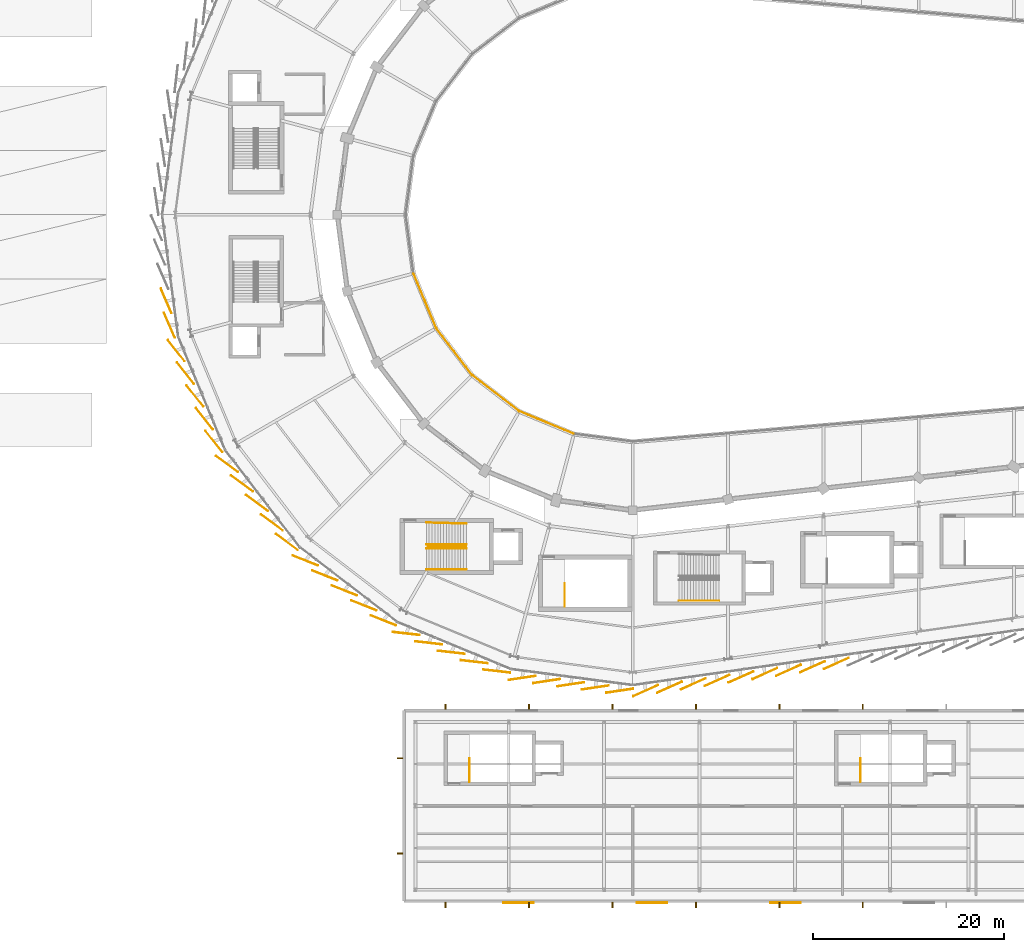
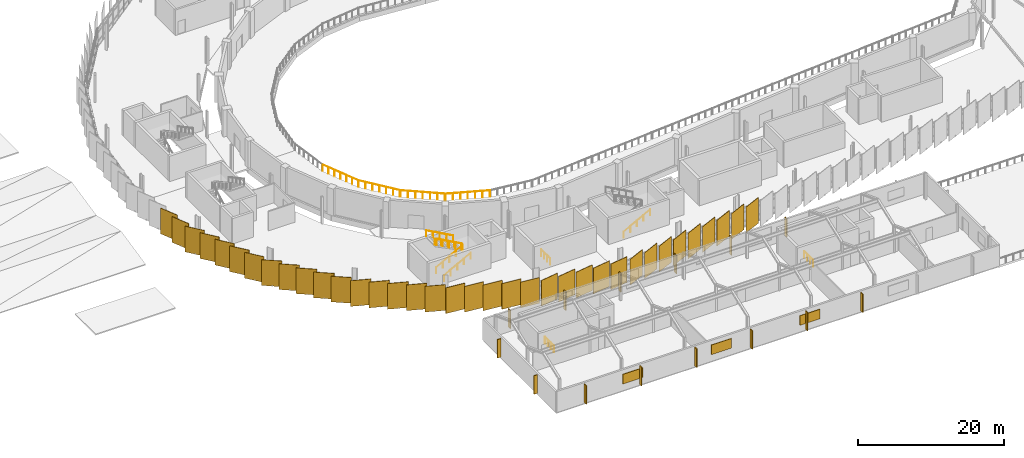
# One storey, part 82 of 87: 36 coverings, 17 shading devices, 13 railings.
"""IFC4 building model written with IfcOpenShell, lengths in metres."""

from ifc_helpers import new_model, si_unit, direction, frame, origin, origin_2d, place, context, subcontext, project, spatial, rectangle, circle, extrude, material, layer, layer_set, type_object, element, save


model = new_model("IFC4")

# Units and contexts
model_context = context("Model", 3, precision=1e-05, world=origin(), true_north=direction((0.0, 1.0)))
body_context = subcontext(model_context, "Body", "Model", "MODEL_VIEW")
ifc_project = project(units=[si_unit("LENGTHUNIT", "METRE"), si_unit("AREAUNIT", "SQUARE_METRE"), si_unit("VOLUMEUNIT", "CUBIC_METRE"), si_unit("PLANEANGLEUNIT", "RADIAN"), si_unit("MASSUNIT", "GRAM", prefix="KILO")], contexts=[model_context])

# Site, building, storey
site_placement = place(None, origin())
site = spatial("IfcSite", under=ifc_project, at=site_placement, CompositionType="ELEMENT")
building_placement = place(site_placement, origin())
building = spatial("IfcBuilding", under=site, at=building_placement, Name="Sohan Crest Arena", CompositionType="ELEMENT")
storey_placement = place(building_placement, frame((0.0, 0.0, 18.0)))
storey = spatial("IfcBuildingStorey", under=building, at=storey_placement, Name="L04", CompositionType="ELEMENT", Elevation=18.0)

# Railings
ifc_material_1 = material(Name="Powder-coated wrought steel balustrade", Category="steel")
railing_type_1 = type_object("IfcRailingType", Name="ARC-GRD-01", PredefinedType="GUARDRAIL", material=ifc_material_1)
railing_1_placement = place(storey_placement, frame((80.530029296875, 43.199951171875, 2.25)))
element("IfcRailing", 1, at=railing_1_placement, inside=storey, type_object=railing_type_1, Name="Stair well slot guard GRD-020", PredefinedType="GUARDRAIL", context=body_context, shape_type="SweptSolid", body=[
    extrude(circle(Radius=0.02392578125, at=origin_2d()), frame((0.0, 0.0, 1.076171875), z_axis=(-0.87313487534, 0.0, 0.487478706678), x_axis=(0.0, -1.0, 0.0)), (0.0, 0.0, 1.0), 4.615478515625),
    extrude(circle(Radius=0.02099609375, at=origin_2d()), origin(), (0.0, 0.0, 1.0), 1.052001953125),
    extrude(circle(Radius=0.02099609375, at=origin_2d()), frame((-1.007568359375, 0.0, 0.5625)), (0.0, 0.0, 1.0), 1.052001953125),
    extrude(circle(Radius=0.02099609375, at=origin_2d()), frame((-2.01513671875, 0.0, 1.125)), (0.0, 0.0, 1.0), 1.052001953125),
    extrude(circle(Radius=0.02099609375, at=origin_2d()), frame((-3.0224609375, 0.0, 1.6875)), (0.0, 0.0, 1.0), 1.052001953125),
    extrude(circle(Radius=0.02099609375, at=origin_2d()), frame((-4.030029296875, 0.0, 2.25)), (0.0, 0.0, 1.0), 1.052001953125),
])
for number, where, name in (
    (2, (80.8701171875, 18.52001953125, 0.0), "Top stair landing well guard GRD-092"),
    (3, (121.8701171875, 18.52001953125, 0.0), "Top stair landing well guard GRD-098"),
):
    element("IfcRailing", number, at=place(storey_placement, frame(where)), inside=storey, type_object=railing_type_1, Name=name, PredefinedType="GUARDRAIL", context=body_context, shape_type="SweptSolid", body=[
        extrude(circle(Radius=0.02392578125, at=origin_2d()), frame((0.0, 0.0, 1.076171875), z_axis=(0.0, 1.0, 0.0), x_axis=(-1.0, 0.0, 0.0)), (0.0, 0.0, 1.0), 2.4599609375),
        extrude(circle(Radius=0.02099609375, at=origin_2d()), origin(), (0.0, 0.0, 1.0), 1.052001953125),
        extrude(circle(Radius=0.02099609375, at=origin_2d()), frame((0.0, 0.820068359375, 0.0)), (0.0, 0.0, 1.0), 1.052001953125),
        extrude(circle(Radius=0.02099609375, at=origin_2d()), frame((0.0, 1.639892578125, 0.0)), (0.0, 0.0, 1.0), 1.052001953125),
        extrude(circle(Radius=0.02099609375, at=origin_2d()), frame((0.0, 2.4599609375, 0.0)), (0.0, 0.0, 1.0), 1.052001953125),
    ])
railing_2_placement = place(storey_placement, frame((90.8701171875, 36.8798828125, 0.0)))
element("IfcRailing", 4, at=railing_2_placement, inside=storey, type_object=railing_type_1, Name="Top stair landing well guard GRD-104", PredefinedType="GUARDRAIL", context=body_context, shape_type="SweptSolid", body=[
    extrude(circle(Radius=0.02392578125, at=origin_2d()), frame((0.0, 0.0, 1.076171875), z_axis=(0.0, 1.0, 0.0), x_axis=(-1.0, 0.0, 0.0)), (0.0, 0.0, 1.0), 2.460205078125),
    extrude(circle(Radius=0.02099609375, at=origin_2d()), origin(), (0.0, 0.0, 1.0), 1.052001953125),
    extrude(circle(Radius=0.02099609375, at=origin_2d()), frame((0.0, 0.820068359375, 0.0)), (0.0, 0.0, 1.0), 1.052001953125),
    extrude(circle(Radius=0.02099609375, at=origin_2d()), frame((0.0, 1.64013671875, 0.0)), (0.0, 0.0, 1.0), 1.052001953125),
    extrude(circle(Radius=0.02099609375, at=origin_2d()), frame((0.0, 2.460205078125, 0.0)), (0.0, 0.0, 1.0), 1.052001953125),
])
ifc_material_2 = material(Name="Laminated glass and steel sightline guard", Category="steel")
railing_type_2 = type_object("IfcRailingType", Name="ARC-GRD-02", PredefinedType="GUARDRAIL", material=ifc_material_2)
railing_3_placement = place(storey_placement, frame((75.02587890625, 71.802978515625, 0.0)))
element("IfcRailing", 5, at=railing_3_placement, inside=storey, type_object=railing_type_2, Name="Bowl gallery edge guard GRD-259", PredefinedType="GUARDRAIL", context=body_context, shape_type="SweptSolid", body=[
    extrude(circle(Radius=0.02392578125, at=origin_2d()), frame((0.0, 0.0, 1.1259765625), z_axis=(0.38285098495, -0.923810112157, 0.0), x_axis=(0.923810112157, 0.38285098495, 0.0)), (0.0, 0.0, 1.0), 6.13330078125),
    extrude(circle(Radius=0.02099609375, at=origin_2d()), origin(), (0.0, 0.0, 1.0), 1.101806640625),
    extrude(circle(Radius=0.02099609375, at=origin_2d()), frame((0.391357421875, -0.9443359375, 0.0)), (0.0, 0.0, 1.0), 1.101806640625),
    extrude(circle(Radius=0.02099609375, at=origin_2d()), frame((0.78271484375, -1.888671875, 0.0)), (0.0, 0.0, 1.0), 1.101806640625),
    extrude(circle(Radius=0.02099609375, at=origin_2d()), frame((1.174072265625, -2.8330078125, 0.0)), (0.0, 0.0, 1.0), 1.101806640625),
    extrude(circle(Radius=0.02099609375, at=origin_2d()), frame((1.5654296875, -3.77734375, 0.0)), (0.0, 0.0, 1.0), 1.101806640625),
    extrude(circle(Radius=0.02099609375, at=origin_2d()), frame((1.956787109375, -4.7216796875, 0.0)), (0.0, 0.0, 1.0), 1.101806640625),
    extrude(circle(Radius=0.02099609375, at=origin_2d()), frame((2.34814453125, -5.666015625, 0.0)), (0.0, 0.0, 1.0), 1.101806640625),
])
railing_4_placement = place(storey_placement, frame((77.4130859375, 66.068115234375, 0.0)))
element("IfcRailing", 6, at=railing_4_placement, inside=storey, type_object=railing_type_2, Name="Bowl gallery edge guard GRD-260", PredefinedType="GUARDRAIL", context=body_context, shape_type="SweptSolid", body=[
    extrude(circle(Radius=0.02392578125, at=origin_2d()), frame((0.0, 0.0, 1.1259765625), z_axis=(0.608829272384, -0.793301277629, 0.0), x_axis=(0.793301277629, 0.608829272384, 0.0)), (0.0, 0.0, 1.0), 6.1328125),
    extrude(circle(Radius=0.02099609375, at=origin_2d()), origin(), (0.0, 0.0, 1.0), 1.101806640625),
    extrude(circle(Radius=0.02099609375, at=origin_2d()), frame((0.622314453125, -0.810791015625, 0.0)), (0.0, 0.0, 1.0), 1.101806640625),
    extrude(circle(Radius=0.02099609375, at=origin_2d()), frame((1.24462890625, -1.621826171875, 0.0)), (0.0, 0.0, 1.0), 1.101806640625),
    extrude(circle(Radius=0.02099609375, at=origin_2d()), frame((1.866943359375, -2.4326171875, 0.0)), (0.0, 0.0, 1.0), 1.101806640625),
    extrude(circle(Radius=0.02099609375, at=origin_2d()), frame((2.4892578125, -3.243408203125, 0.0)), (0.0, 0.0, 1.0), 1.101806640625),
    extrude(circle(Radius=0.02099609375, at=origin_2d()), frame((3.111572265625, -4.054443359375, 0.0)), (0.0, 0.0, 1.0), 1.101806640625),
    extrude(circle(Radius=0.02099609375, at=origin_2d()), frame((3.73388671875, -4.865234375, 0.0)), (0.0, 0.0, 1.0), 1.101806640625),
])
railing_5_placement = place(storey_placement, frame((81.202880859375, 61.14697265625, 0.0)))
element("IfcRailing", 7, at=railing_5_placement, inside=storey, type_object=railing_type_2, Name="Bowl gallery edge guard GRD-261", PredefinedType="GUARDRAIL", context=body_context, shape_type="SweptSolid", body=[
    extrude(circle(Radius=0.02392578125, at=origin_2d()), frame((0.0, 0.0, 1.1259765625), z_axis=(0.793301277629, -0.608829272384, 0.0), x_axis=(0.608829272384, 0.793301277629, 0.0)), (0.0, 0.0, 1.0), 6.1328125),
    extrude(circle(Radius=0.02099609375, at=origin_2d()), origin(), (0.0, 0.0, 1.0), 1.101806640625),
    extrude(circle(Radius=0.02099609375, at=origin_2d()), frame((0.810791015625, -0.622314453125, 0.0)), (0.0, 0.0, 1.0), 1.101806640625),
    extrude(circle(Radius=0.02099609375, at=origin_2d()), frame((1.621826171875, -1.24462890625, 0.0)), (0.0, 0.0, 1.0), 1.101806640625),
    extrude(circle(Radius=0.02099609375, at=origin_2d()), frame((2.4326171875, -1.866943359375, 0.0)), (0.0, 0.0, 1.0), 1.101806640625),
    extrude(circle(Radius=0.02099609375, at=origin_2d()), frame((3.243408203125, -2.4892578125, 0.0)), (0.0, 0.0, 1.0), 1.101806640625),
    extrude(circle(Radius=0.02099609375, at=origin_2d()), frame((4.054443359375, -3.111572265625, 0.0)), (0.0, 0.0, 1.0), 1.101806640625),
    extrude(circle(Radius=0.02099609375, at=origin_2d()), frame((4.865234375, -3.73388671875, 0.0)), (0.0, 0.0, 1.0), 1.101806640625),
])
railing_6_placement = place(storey_placement, frame((86.136962890625, 57.3740234375, 0.0)))
element("IfcRailing", 8, at=railing_6_placement, inside=storey, type_object=railing_type_2, Name="Bowl gallery edge guard GRD-262", PredefinedType="GUARDRAIL", context=body_context, shape_type="SweptSolid", body=[
    extrude(circle(Radius=0.02392578125, at=origin_2d()), frame((0.0, 0.0, 1.1259765625), z_axis=(0.923810112157, -0.38285098495, 0.0), x_axis=(0.38285098495, 0.923810112157, 0.0)), (0.0, 0.0, 1.0), 6.13330078125),
    extrude(circle(Radius=0.02099609375, at=origin_2d()), origin(), (0.0, 0.0, 1.0), 1.101806640625),
    extrude(circle(Radius=0.02099609375, at=origin_2d()), frame((0.9443359375, -0.391357421875, 0.0)), (0.0, 0.0, 1.0), 1.101806640625),
    extrude(circle(Radius=0.02099609375, at=origin_2d()), frame((1.888671875, -0.78271484375, 0.0)), (0.0, 0.0, 1.0), 1.101806640625),
    extrude(circle(Radius=0.02099609375, at=origin_2d()), frame((2.8330078125, -1.174072265625, 0.0)), (0.0, 0.0, 1.0), 1.101806640625),
    extrude(circle(Radius=0.02099609375, at=origin_2d()), frame((3.77734375, -1.5654296875, 0.0)), (0.0, 0.0, 1.0), 1.101806640625),
    extrude(circle(Radius=0.02099609375, at=origin_2d()), frame((4.7216796875, -1.956787109375, 0.0)), (0.0, 0.0, 1.0), 1.101806640625),
    extrude(circle(Radius=0.02099609375, at=origin_2d()), frame((5.666015625, -2.34814453125, 0.0)), (0.0, 0.0, 1.0), 1.101806640625),
])
ifc_material_3 = material(Name="Brushed stainless steel stair handrail", Category="steel")
railing_type_3 = type_object("IfcRailingType", Name="ARC-HR-01", PredefinedType="HANDRAIL", material=ifc_material_3)
for number, where, name in (
    (9, (76.35009765625, 40.81005859375, 0.0), "Stair pitch handrail HR-069"),
    (10, (76.35009765625, 42.989990234375, 0.0), "Stair pitch handrail HR-070"),
):
    element("IfcRailing", number, at=place(storey_placement, frame(where)), inside=storey, type_object=railing_type_3, Name=name, PredefinedType="HANDRAIL", context=body_context, shape_type="SweptSolid", body=[
        extrude(circle(Radius=0.02392578125, at=origin_2d()), frame((0.0, 0.0, 0.97607421875), z_axis=(0.881477684796, 0.0, 0.472225678258), x_axis=(0.0, 1.0, 0.0)), (0.0, 0.0, 1.0), 4.7646484375),
        extrude(circle(Radius=0.02099609375, at=origin_2d()), origin(), (0.0, 0.0, 1.0), 0.951904296875),
        extrude(circle(Radius=0.02099609375, at=origin_2d()), frame((1.050048828125, 0.0, 0.5625)), (0.0, 0.0, 1.0), 0.951904296875),
        extrude(circle(Radius=0.02099609375, at=origin_2d()), frame((2.10009765625, 0.0, 1.125)), (0.0, 0.0, 1.0), 0.951904296875),
        extrude(circle(Radius=0.02099609375, at=origin_2d()), frame((3.14990234375, 0.0, 1.6875)), (0.0, 0.0, 1.0), 0.951904296875),
        extrude(circle(Radius=0.02099609375, at=origin_2d()), frame((4.199951171875, 0.0, 2.25)), (0.0, 0.0, 1.0), 0.951904296875),
    ])
railing_7_placement = place(storey_placement, frame((80.550048828125, 43.409912109375, 2.25)))
element("IfcRailing", 11, at=railing_7_placement, inside=storey, type_object=railing_type_3, Name="Stair pitch handrail HR-071", PredefinedType="HANDRAIL", context=body_context, shape_type="SweptSolid", body=[
    extrude(circle(Radius=0.02392578125, at=origin_2d()), frame((0.0, 0.0, 0.97607421875), z_axis=(-0.881477684796, 0.0, 0.472225678258), x_axis=(0.0, -1.0, 0.0)), (0.0, 0.0, 1.0), 4.7646484375),
    extrude(circle(Radius=0.02099609375, at=origin_2d()), origin(), (0.0, 0.0, 1.0), 0.951904296875),
    extrude(circle(Radius=0.02099609375, at=origin_2d()), frame((-1.050048828125, 0.0, 0.5625)), (0.0, 0.0, 1.0), 0.951904296875),
    extrude(circle(Radius=0.02099609375, at=origin_2d()), frame((-2.10009765625, 0.0, 1.125)), (0.0, 0.0, 1.0), 0.951904296875),
    extrude(circle(Radius=0.02099609375, at=origin_2d()), frame((-3.14990234375, 0.0, 1.6875)), (0.0, 0.0, 1.0), 0.951904296875),
    extrude(circle(Radius=0.02099609375, at=origin_2d()), frame((-4.199951171875, 0.0, 2.25)), (0.0, 0.0, 1.0), 0.951904296875),
])
railing_8_placement = place(storey_placement, frame((80.550048828125, 45.590087890625, 2.25)))
element("IfcRailing", 12, at=railing_8_placement, inside=storey, type_object=railing_type_3, Name="Stair pitch handrail HR-072", PredefinedType="HANDRAIL", context=body_context, shape_type="SweptSolid", body=[
    extrude(circle(Radius=0.02392578125, at=origin_2d()), frame((0.0, 0.0, 0.97607421875), z_axis=(-0.881198846469, 0.025150766356, 0.472076298847), x_axis=(-0.028529915312, -0.999592939117, 0.0)), (0.0, 0.0, 1.0), 4.76611328125),
    extrude(circle(Radius=0.02099609375, at=origin_2d()), origin(), (0.0, 0.0, 1.0), 0.951904296875),
    extrude(circle(Radius=0.02099609375, at=origin_2d()), frame((-1.050048828125, 0.030029296875, 0.5625)), (0.0, 0.0, 1.0), 0.951904296875),
    extrude(circle(Radius=0.02099609375, at=origin_2d()), frame((-2.10009765625, 0.06005859375, 1.125)), (0.0, 0.0, 1.0), 0.951904296875),
    extrude(circle(Radius=0.02099609375, at=origin_2d()), frame((-3.14990234375, 0.08984375, 1.6875)), (0.0, 0.0, 1.0), 0.951904296875),
    extrude(circle(Radius=0.02099609375, at=origin_2d()), frame((-4.199951171875, 0.119873046875, 2.25)), (0.0, 0.0, 1.0), 0.951904296875),
])
railing_9_placement = place(storey_placement, frame((102.85009765625, 37.510009765625, 0.0)))
element("IfcRailing", 13, at=railing_9_placement, inside=storey, type_object=railing_type_3, Name="Stair pitch handrail HR-113", PredefinedType="HANDRAIL", context=body_context, shape_type="SweptSolid", body=[
    extrude(circle(Radius=0.02392578125, at=origin_2d()), frame((0.0, 0.0, 0.97607421875), z_axis=(0.881477684796, 0.0, 0.472225678258), x_axis=(0.0, 1.0, 0.0)), (0.0, 0.0, 1.0), 4.7646484375),
    extrude(circle(Radius=0.02099609375, at=origin_2d()), origin(), (0.0, 0.0, 1.0), 0.951904296875),
    extrude(circle(Radius=0.02099609375, at=origin_2d()), frame((1.050048828125, 0.0, 0.5625)), (0.0, 0.0, 1.0), 0.951904296875),
    extrude(circle(Radius=0.02099609375, at=origin_2d()), frame((2.10009765625, 0.0, 1.125)), (0.0, 0.0, 1.0), 0.951904296875),
    extrude(circle(Radius=0.02099609375, at=origin_2d()), frame((3.14990234375, 0.0, 1.6875)), (0.0, 0.0, 1.0), 0.951904296875),
    extrude(circle(Radius=0.02099609375, at=origin_2d()), frame((4.199951171875, 0.0, 2.25)), (0.0, 0.0, 1.0), 0.951904296875),
])

# Shading devices
ifc_material_4 = material(Name="Glazed terracotta ceramic solar fin", Category="masonry")
ifc_layer_1 = layer(ifc_material_4, 0.070068359375, Name="Glazed terracotta ceramic solar fin")
ifc_layer_set_1 = layer_set([ifc_layer_1], Name="Glazed terracotta ceramic solar fin")
shading_device_type_1 = type_object("IfcShadingDeviceType", Name="ARC-SHD-FIN1", PredefinedType="USERDEFINED", material=ifc_layer_set_1)
for number, where, z_axis, x_axis, name in (
    (14, (78.375, 5.60009765625, 0.199951171875), (0.0, 0.0, 1.0), (1.0, 0.0, 0.0), "Catalan terracotta facade fin FIN-127"),
    (15, (87.125, 5.60009765625, 0.199951171875), (0.0, 0.0, 1.0), (1.0, 0.0, 0.0), "Catalan terracotta facade fin FIN-128"),
    (16, (95.875, 5.60009765625, 0.199951171875), (0.0, 0.0, 1.0), (1.0, 0.0, 0.0), "Catalan terracotta facade fin FIN-129"),
    (17, (104.625, 5.60009765625, 0.199951171875), (0.0, 0.0, 1.0), (1.0, 0.0, 0.0), "Catalan terracotta facade fin FIN-130"),
    (18, (113.375, 5.60009765625, 0.199951171875), (0.0, 0.0, 1.0), (1.0, 0.0, 0.0), "Catalan terracotta facade fin FIN-131"),
    (19, (122.125, 5.60009765625, 0.199951171875), (0.0, 0.0, 1.0), (1.0, 0.0, 0.0), "Catalan terracotta facade fin FIN-132"),
    (20, (122.125, 26.39990234375, 0.199951171875), (0.0, 0.0, 1.0), (-1.0, 0.0, 0.0), "Catalan terracotta facade fin FIN-143"),
    (21, (113.375, 26.39990234375, 0.199951171875), (0.0, 0.0, 1.0), (-1.0, 0.0, 0.0), "Catalan terracotta facade fin FIN-144"),
    (22, (104.625, 26.39990234375, 0.199951171875), (0.0, 0.0, 1.0), (-1.0, 0.0, 0.0), "Catalan terracotta facade fin FIN-145"),
    (23, (95.875, 26.39990234375, 0.199951171875), (0.0, 0.0, 1.0), (-1.0, 0.0, 0.0), "Catalan terracotta facade fin FIN-146"),
    (24, (87.125, 26.39990234375, 0.199951171875), (0.0, 0.0, 1.0), (-1.0, 0.0, 0.0), "Catalan terracotta facade fin FIN-147"),
    (25, (78.375, 26.39990234375, 0.199951171875), (0.0, 0.0, 1.0), (-1.0, 0.0, 0.0), "Catalan terracotta facade fin FIN-148"),
    (26, (73.60009765625, 21.0, 0.199951171875), (0.0, 0.0, 1.0), (0.0, -1.0, 0.0), "Catalan terracotta facade fin FIN-149"),
    (27, (73.60009765625, 11.0, 0.199951171875), (0.0, 0.0, 1.0), (0.0, -1.0, 0.0), "Catalan terracotta facade fin FIN-150"),
):
    element("IfcShadingDevice", number, at=place(storey_placement, frame(where, z_axis=z_axis, x_axis=x_axis)), inside=storey, type_object=shading_device_type_1, Name=name, ObjectType="FIN", PredefinedType="USERDEFINED", context=body_context, shape_type="SweptSolid", body=[
        extrude(rectangle(XDim=0.139892578125, YDim=0.550048828125, at=origin_2d()), origin(), (0.0, 0.0, 1.0), 3.10009765625),
    ])
ifc_material_5 = material(Name="Thermally broken anodised aluminium", Category="aluminium")
ifc_layer_2 = layer(ifc_material_5, 0.10009765625, Name="Thermally broken anodised aluminium")
ifc_layer_set_2 = layer_set([ifc_layer_2], Name="Thermally broken anodised aluminium")
shading_device_type_2 = type_object("IfcShadingDeviceType", Name="ARC-SHD-LV1", PredefinedType="JALOUSIE", material=ifc_layer_set_2)
for number, where, z_axis, x_axis, name in (
    (28, (86.0, 5.81494140625, 1.199951171875), (0.0, 0.0, 1.0), (1.0, 0.0, 0.0), "Acoustic plant weather louvre LV-135"),
    (29, (100.0, 5.81494140625, 1.199951171875), (0.0, 0.0, 1.0), (1.0, 0.0, 0.0), "Acoustic plant weather louvre LV-136"),
    (30, (114.0, 5.81494140625, 1.199951171875), (0.0, 0.0, 1.0), (1.0, 0.0, 0.0), "Acoustic plant weather louvre LV-137"),
):
    element("IfcShadingDevice", number, at=place(storey_placement, frame(where, z_axis=z_axis, x_axis=x_axis)), inside=storey, type_object=shading_device_type_2, Name=name, PredefinedType="JALOUSIE", context=body_context, shape_type="SweptSolid", body=[
        extrude(rectangle(XDim=3.199951171875, YDim=0.10009765625, at=origin_2d()), origin(), (0.0, 0.0, 1.0), 1.60009765625),
    ])

# Coverings
ifc_material_6 = material(Name="Glazed ivory trencadis ceramic cladding", Category="masonry")
ifc_layer_3 = layer(ifc_material_6, 0.06494140625, Name="Glazed ivory trencadis ceramic cladding")
ifc_layer_set_3 = layer_set([ifc_layer_3], Name="Glazed ivory trencadis ceramic cladding")
covering_type_1 = type_object("IfcCoveringType", Name="COV-SC-IV", PredefinedType="CLADDING", material=ifc_layer_set_3)
for number, where, z_axis, x_axis, name in (
    (31, (49.073974609375, 68.9599609375, -0.2001953125), (0.0, 0.0, 1.0), (0.398749068925, -0.917060074385, 0.0), "Rotated trencadis ceramic scale panel SC-0432"),
    (32, (50.123046875, 63.74609375, -0.2001953125), (0.0, 0.0, 1.0), (0.622514636638, -0.782608156852, 0.0), "Rotated trencadis ceramic scale panel SC-0434"),
    (33, (51.10888671875, 61.365966796875, -0.2001953125), (0.0, 0.0, 1.0), (0.622514636638, -0.782608156852, 0.0), "Rotated trencadis ceramic scale panel SC-0435"),
    (34, (52.094970703125, 58.985107421875, -0.2001953125), (0.0, 0.0, 1.0), (0.622514636638, -0.782608156852, 0.0), "Rotated trencadis ceramic scale panel SC-0436"),
    (35, (54.06689453125, 54.22412109375, -0.2001953125), (0.0, 0.0, 1.0), (0.622514636638, -0.782608156852, 0.0), "Rotated trencadis ceramic scale panel SC-0438"),
    (36, (55.443115234375, 51.840087890625, -0.2001953125), (0.0, 0.0, 1.0), (0.803856860617, -0.594822786751, 0.0), "Rotated trencadis ceramic scale panel SC-0439"),
    (37, (57.011962890625, 49.7958984375, -0.2001953125), (0.0, 0.0, 1.0), (0.803856860617, -0.594822786751, 0.0), "Rotated trencadis ceramic scale panel SC-0440"),
    (38, (60.14794921875, 45.7080078125, -0.2001953125), (0.0, 0.0, 1.0), (0.803856860617, -0.594822786751, 0.0), "Rotated trencadis ceramic scale panel SC-0442"),
    (39, (61.717041015625, 43.6630859375, -0.2001953125), (0.0, 0.0, 1.0), (0.803856860617, -0.594822786751, 0.0), "Rotated trencadis ceramic scale panel SC-0443"),
    (40, (63.6630859375, 41.717041015625, -0.2001953125), (0.0, 0.0, 1.0), (0.930417567982, -0.366501226724, 0.0), "Rotated trencadis ceramic scale panel SC-0444"),
    (41, (67.751953125, 38.580078125, -0.2001953125), (0.0, 0.0, 1.0), (0.930417567982, -0.366501226724, 0.0), "Rotated trencadis ceramic scale panel SC-0446"),
    (42, (69.7958984375, 37.011962890625, -0.2001953125), (0.0, 0.0, 1.0), (0.930417567982, -0.366501226724, 0.0), "Rotated trencadis ceramic scale panel SC-0447"),
    (43, (71.840087890625, 35.443115234375, -0.2001953125), (0.0, 0.0, 1.0), (0.930417567982, -0.366501226724, 0.0), "Rotated trencadis ceramic scale panel SC-0448"),
    (44, (76.60498046875, 33.0810546875, -0.2001953125), (0.0, 0.0, 1.0), (0.993571855677, -0.113203213768, 0.0), "Rotated trencadis ceramic scale panel SC-0450"),
    (45, (78.985107421875, 32.094970703125, -0.2001953125), (0.0, 0.0, 1.0), (0.993571855677, -0.113203213768, 0.0), "Rotated trencadis ceramic scale panel SC-0451"),
    (46, (81.365966796875, 31.10888671875, -0.2001953125), (0.0, 0.0, 1.0), (0.993571855677, -0.113203213768, 0.0), "Rotated trencadis ceramic scale panel SC-0452"),
    (47, (83.74609375, 30.123046875, -0.2001953125), (0.0, 0.0, 1.0), (0.993571855677, -0.113203213768, 0.0), "Rotated trencadis ceramic scale panel SC-0453"),
    (48, (86.405029296875, 29.409912109375, -0.2001953125), (0.0, 0.0, 1.0), (0.989015863362, 0.14780941113, 0.0), "Rotated trencadis ceramic scale panel SC-0454"),
    (49, (88.9599609375, 29.073974609375, -0.2001953125), (0.0, 0.0, 1.0), (0.989015863362, 0.14780941113, 0.0), "Rotated trencadis ceramic scale panel SC-0455"),
    (50, (91.513916015625, 28.738037109375, -0.2001953125), (0.0, 0.0, 1.0), (0.989015863362, 0.14780941113, 0.0), "Rotated trencadis ceramic scale panel SC-0456"),
    (51, (94.069091796875, 28.40087890625, -0.2001953125), (0.0, 0.0, 1.0), (0.989015863362, 0.14780941113, 0.0), "Rotated trencadis ceramic scale panel SC-0457"),
    (52, (99.35791015625, 28.075927734375, -0.2001953125), (0.0, 0.0, 1.0), (0.912834177233, 0.408330460381, 0.0), "Rotated trencadis ceramic scale panel SC-0459"),
    (53, (101.85791015625, 28.43408203125, -0.2001953125), (0.0, 0.0, 1.0), (0.912834177233, 0.408330460381, 0.0), "Rotated trencadis ceramic scale panel SC-0460"),
    (54, (104.35791015625, 28.791015625, -0.2001953125), (0.0, 0.0, 1.0), (0.912834177233, 0.408330460381, 0.0), "Rotated trencadis ceramic scale panel SC-0461"),
    (55, (109.35693359375, 29.5048828125, -0.2001953125), (0.0, 0.0, 1.0), (0.912834177233, 0.408330460381, 0.0), "Rotated trencadis ceramic scale panel SC-0463"),
    (56, (111.85693359375, 29.862060546875, -0.2001953125), (0.0, 0.0, 1.0), (0.912834177233, 0.408330460381, 0.0), "Rotated trencadis ceramic scale panel SC-0464"),
    (57, (116.85693359375, 30.575927734375, -0.2001953125), (0.0, 0.0, 1.0), (0.912834177233, 0.408330460381, 0.0), "Rotated trencadis ceramic scale panel SC-0466"),
    (58, (119.35791015625, 30.93310546875, -0.2001953125), (0.0, 0.0, 1.0), (0.912834177233, 0.408330460381, 0.0), "Rotated trencadis ceramic scale panel SC-0467"),
):
    element("IfcCovering", number, at=place(storey_placement, frame(where, z_axis=z_axis, x_axis=x_axis)), inside=storey, type_object=covering_type_1, Name=name, PredefinedType="CLADDING", context=body_context, shape_type="SweptSolid", body=[
        extrude(rectangle(XDim=2.85009765625, YDim=0.06494140625, at=origin_2d()), origin(), (0.0, 0.0, 1.0), 4.300048828125),
    ])
ifc_material_7 = material(Name="Glazed terracotta trencadis ceramic cladding", Category="masonry")
ifc_layer_4 = layer(ifc_material_7, 0.074951171875, Name="Glazed terracotta trencadis ceramic cladding")
ifc_layer_set_4 = layer_set([ifc_layer_4], Name="Glazed terracotta trencadis ceramic cladding")
covering_type_2 = type_object("IfcCoveringType", Name="COV-SC-TC", PredefinedType="CLADDING", material=ifc_layer_set_4)
for number, where, z_axis, x_axis, name in (
    (59, (49.409912109375, 66.405029296875, -0.2001953125), (0.0, 0.0, 1.0), (0.398749068925, -0.917060074385, 0.0), "Rotated trencadis ceramic scale panel SC-0433"),
    (60, (53.0810546875, 56.60498046875, -0.2001953125), (0.0, 0.0, 1.0), (0.622514636638, -0.782608156852, 0.0), "Rotated trencadis ceramic scale panel SC-0437"),
    (61, (58.580078125, 47.751953125, -0.2001953125), (0.0, 0.0, 1.0), (0.803856860617, -0.594822786751, 0.0), "Rotated trencadis ceramic scale panel SC-0441"),
    (62, (65.7080078125, 40.14794921875, -0.2001953125), (0.0, 0.0, 1.0), (0.930417567982, -0.366501226724, 0.0), "Rotated trencadis ceramic scale panel SC-0445"),
    (63, (74.22412109375, 34.06689453125, -0.2001953125), (0.0, 0.0, 1.0), (0.993571855677, -0.113203213768, 0.0), "Rotated trencadis ceramic scale panel SC-0449"),
    (64, (96.623046875, 28.06494140625, -0.2001953125), (0.0, 0.0, 1.0), (0.989015863362, 0.14780941113, 0.0), "Rotated trencadis ceramic scale panel SC-0458"),
    (65, (106.85791015625, 29.14794921875, -0.2001953125), (0.0, 0.0, 1.0), (0.912834177233, 0.408330460381, 0.0), "Rotated trencadis ceramic scale panel SC-0462"),
    (66, (114.35693359375, 30.218994140625, -0.2001953125), (0.0, 0.0, 1.0), (0.912834177233, 0.408330460381, 0.0), "Rotated trencadis ceramic scale panel SC-0465"),
):
    element("IfcCovering", number, at=place(storey_placement, frame(where, z_axis=z_axis, x_axis=x_axis)), inside=storey, type_object=covering_type_2, Name=name, PredefinedType="CLADDING", context=body_context, shape_type="SweptSolid", body=[
        extrude(rectangle(XDim=2.85009765625, YDim=0.074951171875, at=origin_2d()), origin(), (0.0, 0.0, 1.0), 4.300048828125),
    ])

save(model, "model.ifc")
